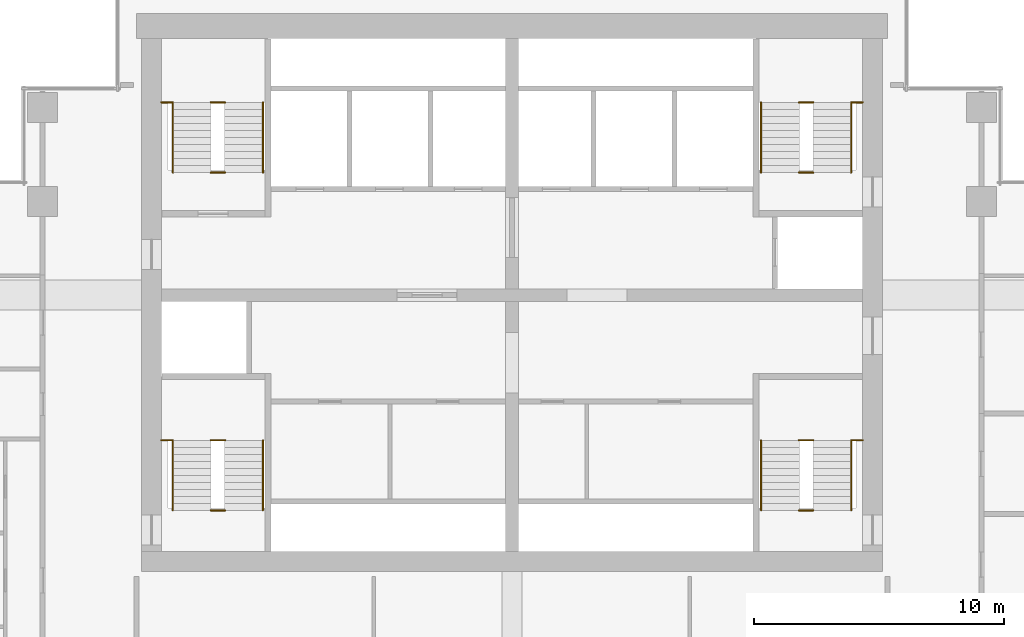
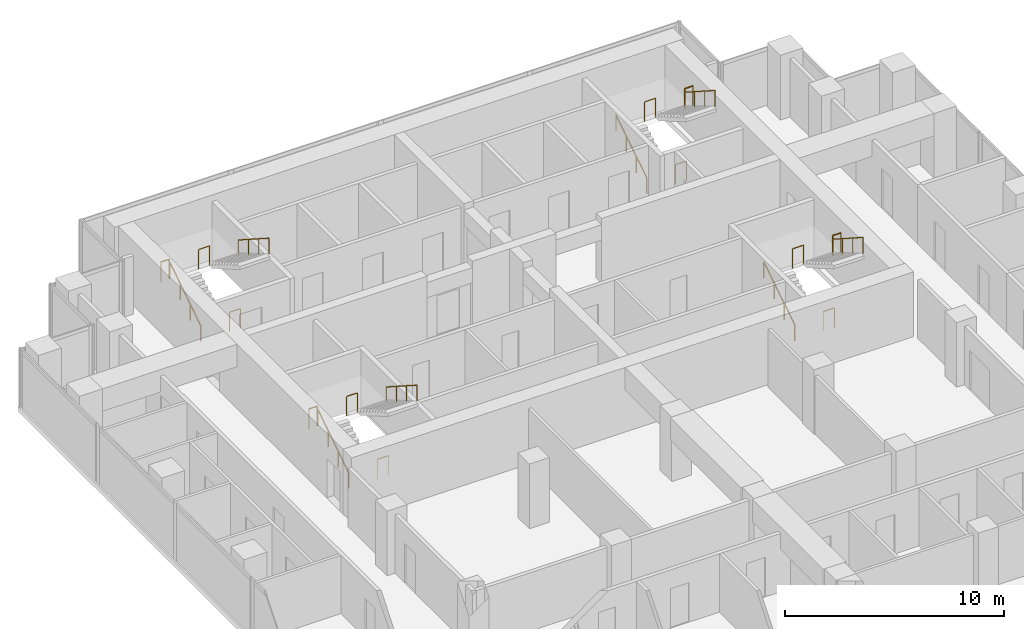
# One storey, part 10 of 10: 20 railings.
"""IFC4 building model written with IfcOpenShell, lengths in metres."""

from ifc_helpers import new_model, si_unit, direction, frame, origin, origin_2d, place, context, subcontext, project, spatial, circle, extrude, material, type_object, element, save


model = new_model("IFC4")

# Units and contexts
model_context = context("Model", 3, precision=1e-05, world=origin(), true_north=direction((0.0, 1.0)))
body_context = subcontext(model_context, "Body", "Model", "MODEL_VIEW")
ifc_project = project(units=[si_unit("LENGTHUNIT", "METRE"), si_unit("AREAUNIT", "SQUARE_METRE"), si_unit("VOLUMEUNIT", "CUBIC_METRE"), si_unit("PLANEANGLEUNIT", "RADIAN"), si_unit("MASSUNIT", "GRAM", prefix="KILO")], contexts=[model_context])

# Site, building, storey
site_placement = place(None, origin())
site = spatial("IfcSite", under=ifc_project, at=site_placement, CompositionType="ELEMENT")
building_placement = place(site_placement, origin())
building = spatial("IfcBuilding", under=site, at=building_placement, Name="Pilkhan Gate Tower", CompositionType="ELEMENT")
storey_placement = place(building_placement, frame((0.0, 0.0, 180.10009765625)))
storey = spatial("IfcBuildingStorey", under=building, at=storey_placement, Name="L46", CompositionType="ELEMENT", Elevation=180.10009765625)

# Railings
ifc_material_1 = material(Name="Black powder-coated steel tube", Category="steel")
railing_type_1 = type_object("IfcRailingType", Name="Stair handrail HR1", PredefinedType="HANDRAIL", material=ifc_material_1)
railing_1_placement = place(storey_placement, frame((84.949951171875, 73.89990234375, 0.0)))
element("IfcRailing", 1, at=railing_1_placement, inside=storey, type_object=railing_type_1, Name="Stair ST1 handrail L46", PredefinedType="HANDRAIL", context=body_context, shape_type="SweptSolid", body=[
    extrude(circle(Radius=0.02392578125, at=origin_2d()), frame((0.0, 0.0, 0.8759765625), z_axis=(0.0, 0.841209454229, 0.540709398952), x_axis=(-1.0, 0.0, 0.0)), (0.0, 0.0, 1.0), 3.32861328125),
    extrude(circle(Radius=0.02099609375, at=origin_2d()), origin(), (0.0, 0.0, 1.0), 0.851806640625),
    extrude(circle(Radius=0.02099609375, at=origin_2d()), frame((0.0, 0.933349609375, 0.599853515625)), (0.0, 0.0, 1.0), 0.851806640625),
    extrude(circle(Radius=0.02099609375, at=origin_2d()), frame((0.0, 1.86669921875, 1.199951171875)), (0.0, 0.0, 1.0), 0.851806640625),
    extrude(circle(Radius=0.02099609375, at=origin_2d()), frame((0.0, 2.800048828125, 1.7998046875)), (0.0, 0.0, 1.0), 0.851806640625),
])
railing_2_placement = place(storey_placement, frame((88.550048828125, 76.699951171875, 1.7998046875)))
element("IfcRailing", 2, at=railing_2_placement, inside=storey, type_object=railing_type_1, Name="Stair ST1 handrail L46", PredefinedType="HANDRAIL", context=body_context, shape_type="SweptSolid", body=[
    extrude(circle(Radius=0.02392578125, at=origin_2d()), frame((0.0, 0.0, 0.8759765625), z_axis=(0.0, -0.841176092368, 0.540761298198), x_axis=(1.0, 0.0, 0.0)), (0.0, 0.0, 1.0), 3.32861328125),
    extrude(circle(Radius=0.02099609375, at=origin_2d()), origin(), (0.0, 0.0, 1.0), 0.851806640625),
    extrude(circle(Radius=0.02099609375, at=origin_2d()), frame((0.0, -0.933349609375, 0.60009765625)), (0.0, 0.0, 1.0), 0.851806640625),
    extrude(circle(Radius=0.02099609375, at=origin_2d()), frame((0.0, -1.86669921875, 1.199951171875)), (0.0, 0.0, 1.0), 0.851806640625),
    extrude(circle(Radius=0.02099609375, at=origin_2d()), frame((0.0, -2.800048828125, 1.800048828125)), (0.0, 0.0, 1.0), 0.851806640625),
])
railing_3_placement = place(storey_placement, frame((61.449951171875, 73.89990234375, 0.0)))
element("IfcRailing", 3, at=railing_3_placement, inside=storey, type_object=railing_type_1, Name="Stair ST2 handrail L46", PredefinedType="HANDRAIL", context=body_context, shape_type="SweptSolid", body=[
    extrude(circle(Radius=0.02392578125, at=origin_2d()), frame((0.0, 0.0, 0.8759765625), z_axis=(0.0, 0.841209454229, 0.540709398952), x_axis=(-1.0, 0.0, 0.0)), (0.0, 0.0, 1.0), 3.32861328125),
    extrude(circle(Radius=0.02099609375, at=origin_2d()), origin(), (0.0, 0.0, 1.0), 0.851806640625),
    extrude(circle(Radius=0.02099609375, at=origin_2d()), frame((0.0, 0.933349609375, 0.599853515625)), (0.0, 0.0, 1.0), 0.851806640625),
    extrude(circle(Radius=0.02099609375, at=origin_2d()), frame((0.0, 1.86669921875, 1.199951171875)), (0.0, 0.0, 1.0), 0.851806640625),
    extrude(circle(Radius=0.02099609375, at=origin_2d()), frame((0.0, 2.800048828125, 1.7998046875)), (0.0, 0.0, 1.0), 0.851806640625),
])
railing_4_placement = place(storey_placement, frame((65.050048828125, 76.699951171875, 1.7998046875)))
element("IfcRailing", 4, at=railing_4_placement, inside=storey, type_object=railing_type_1, Name="Stair ST2 handrail L46", PredefinedType="HANDRAIL", context=body_context, shape_type="SweptSolid", body=[
    extrude(circle(Radius=0.02392578125, at=origin_2d()), frame((0.0, 0.0, 0.8759765625), z_axis=(0.0, -0.841176092368, 0.540761298198), x_axis=(1.0, 0.0, 0.0)), (0.0, 0.0, 1.0), 3.32861328125),
    extrude(circle(Radius=0.02099609375, at=origin_2d()), origin(), (0.0, 0.0, 1.0), 0.851806640625),
    extrude(circle(Radius=0.02099609375, at=origin_2d()), frame((0.0, -0.933349609375, 0.60009765625)), (0.0, 0.0, 1.0), 0.851806640625),
    extrude(circle(Radius=0.02099609375, at=origin_2d()), frame((0.0, -1.86669921875, 1.199951171875)), (0.0, 0.0, 1.0), 0.851806640625),
    extrude(circle(Radius=0.02099609375, at=origin_2d()), frame((0.0, -2.800048828125, 1.800048828125)), (0.0, 0.0, 1.0), 0.851806640625),
])
railing_5_placement = place(storey_placement, frame((61.449951171875, 87.39990234375, 0.0)))
element("IfcRailing", 5, at=railing_5_placement, inside=storey, type_object=railing_type_1, Name="Stair ST3 handrail L46", PredefinedType="HANDRAIL", context=body_context, shape_type="SweptSolid", body=[
    extrude(circle(Radius=0.02392578125, at=origin_2d()), frame((0.0, 0.0, 0.8759765625), z_axis=(0.0, 0.841209454229, 0.540709398952), x_axis=(-1.0, 0.0, 0.0)), (0.0, 0.0, 1.0), 3.32861328125),
    extrude(circle(Radius=0.02099609375, at=origin_2d()), origin(), (0.0, 0.0, 1.0), 0.851806640625),
    extrude(circle(Radius=0.02099609375, at=origin_2d()), frame((0.0, 0.933349609375, 0.599853515625)), (0.0, 0.0, 1.0), 0.851806640625),
    extrude(circle(Radius=0.02099609375, at=origin_2d()), frame((0.0, 1.86669921875, 1.199951171875)), (0.0, 0.0, 1.0), 0.851806640625),
    extrude(circle(Radius=0.02099609375, at=origin_2d()), frame((0.0, 2.800048828125, 1.7998046875)), (0.0, 0.0, 1.0), 0.851806640625),
])
railing_6_placement = place(storey_placement, frame((65.050048828125, 90.199951171875, 1.7998046875)))
element("IfcRailing", 6, at=railing_6_placement, inside=storey, type_object=railing_type_1, Name="Stair ST3 handrail L46", PredefinedType="HANDRAIL", context=body_context, shape_type="SweptSolid", body=[
    extrude(circle(Radius=0.02392578125, at=origin_2d()), frame((0.0, 0.0, 0.8759765625), z_axis=(0.0, -0.841176092368, 0.540761298198), x_axis=(1.0, 0.0, 0.0)), (0.0, 0.0, 1.0), 3.32861328125),
    extrude(circle(Radius=0.02099609375, at=origin_2d()), origin(), (0.0, 0.0, 1.0), 0.851806640625),
    extrude(circle(Radius=0.02099609375, at=origin_2d()), frame((0.0, -0.933349609375, 0.60009765625)), (0.0, 0.0, 1.0), 0.851806640625),
    extrude(circle(Radius=0.02099609375, at=origin_2d()), frame((0.0, -1.86669921875, 1.199951171875)), (0.0, 0.0, 1.0), 0.851806640625),
    extrude(circle(Radius=0.02099609375, at=origin_2d()), frame((0.0, -2.800048828125, 1.800048828125)), (0.0, 0.0, 1.0), 0.851806640625),
])
railing_7_placement = place(storey_placement, frame((84.949951171875, 87.39990234375, 0.0)))
element("IfcRailing", 7, at=railing_7_placement, inside=storey, type_object=railing_type_1, Name="Stair ST4 handrail L46", PredefinedType="HANDRAIL", context=body_context, shape_type="SweptSolid", body=[
    extrude(circle(Radius=0.02392578125, at=origin_2d()), frame((0.0, 0.0, 0.8759765625), z_axis=(0.0, 0.841209454229, 0.540709398952), x_axis=(-1.0, 0.0, 0.0)), (0.0, 0.0, 1.0), 3.32861328125),
    extrude(circle(Radius=0.02099609375, at=origin_2d()), origin(), (0.0, 0.0, 1.0), 0.851806640625),
    extrude(circle(Radius=0.02099609375, at=origin_2d()), frame((0.0, 0.933349609375, 0.599853515625)), (0.0, 0.0, 1.0), 0.851806640625),
    extrude(circle(Radius=0.02099609375, at=origin_2d()), frame((0.0, 1.86669921875, 1.199951171875)), (0.0, 0.0, 1.0), 0.851806640625),
    extrude(circle(Radius=0.02099609375, at=origin_2d()), frame((0.0, 2.800048828125, 1.7998046875)), (0.0, 0.0, 1.0), 0.851806640625),
])
railing_8_placement = place(storey_placement, frame((88.550048828125, 90.199951171875, 1.7998046875)))
element("IfcRailing", 8, at=railing_8_placement, inside=storey, type_object=railing_type_1, Name="Stair ST4 handrail L46", PredefinedType="HANDRAIL", context=body_context, shape_type="SweptSolid", body=[
    extrude(circle(Radius=0.02392578125, at=origin_2d()), frame((0.0, 0.0, 0.8759765625), z_axis=(0.0, -0.841176092368, 0.540761298198), x_axis=(1.0, 0.0, 0.0)), (0.0, 0.0, 1.0), 3.32861328125),
    extrude(circle(Radius=0.02099609375, at=origin_2d()), origin(), (0.0, 0.0, 1.0), 0.851806640625),
    extrude(circle(Radius=0.02099609375, at=origin_2d()), frame((0.0, -0.933349609375, 0.60009765625)), (0.0, 0.0, 1.0), 0.851806640625),
    extrude(circle(Radius=0.02099609375, at=origin_2d()), frame((0.0, -1.86669921875, 1.199951171875)), (0.0, 0.0, 1.0), 0.851806640625),
    extrude(circle(Radius=0.02099609375, at=origin_2d()), frame((0.0, -2.800048828125, 1.800048828125)), (0.0, 0.0, 1.0), 0.851806640625),
])
ifc_material_2 = material(Name="Black powder-coated steel balusters", Category="steel")
railing_type_2 = type_object("IfcRailingType", Name="Stair well guard G3", PredefinedType="GUARDRAIL", material=ifc_material_2)
railing_9_placement = place(storey_placement, frame((88.580078125, 76.699951171875, 1.7998046875)))
element("IfcRailing", 9, at=railing_9_placement, inside=storey, type_object=railing_type_2, Name="Stair ST1 well guard L46", PredefinedType="GUARDRAIL", context=body_context, shape_type="SweptSolid", body=[
    extrude(circle(Radius=0.02392578125, at=origin_2d()), frame((0.0, 0.0, 1.076171875), z_axis=(1.0, 0.0, 0.0), x_axis=(0.0, 1.0, 0.0)), (0.0, 0.0, 1.0), 0.43994140625),
    extrude(circle(Radius=0.02099609375, at=origin_2d()), origin(), (0.0, 0.0, 1.0), 1.052001953125),
    extrude(circle(Radius=0.02099609375, at=origin_2d()), frame((0.43994140625, 0.0, 0.0)), (0.0, 0.0, 1.0), 1.052001953125),
])
for number, where, name in (
    (10, (86.4599609375, 73.89990234375, 0.0), "Stair ST1 well guard L46"),
    (11, (86.4599609375, 76.699951171875, 1.7998046875), "Stair ST1 well guard L46"),
):
    element("IfcRailing", number, at=place(storey_placement, frame(where)), inside=storey, type_object=railing_type_2, Name=name, PredefinedType="GUARDRAIL", context=body_context, shape_type="SweptSolid", body=[
        extrude(circle(Radius=0.02392578125, at=origin_2d()), frame((0.0, 0.0, 1.076171875), z_axis=(1.0, 0.0, 0.0), x_axis=(0.0, 1.0, 0.0)), (0.0, 0.0, 1.0), 0.580078125),
        extrude(circle(Radius=0.02099609375, at=origin_2d()), origin(), (0.0, 0.0, 1.0), 1.052001953125),
        extrude(circle(Radius=0.02099609375, at=origin_2d()), frame((0.580078125, 0.0, 0.0)), (0.0, 0.0, 1.0), 1.052001953125),
    ])
railing_10_placement = place(storey_placement, frame((60.97998046875, 76.699951171875, 1.7998046875)))
element("IfcRailing", 12, at=railing_10_placement, inside=storey, type_object=railing_type_2, Name="Stair ST2 well guard L46", PredefinedType="GUARDRAIL", context=body_context, shape_type="SweptSolid", body=[
    extrude(circle(Radius=0.02392578125, at=origin_2d()), frame((0.0, 0.0, 1.076171875), z_axis=(1.0, 0.0, 0.0), x_axis=(0.0, 1.0, 0.0)), (0.0, 0.0, 1.0), 0.43994140625),
    extrude(circle(Radius=0.02099609375, at=origin_2d()), origin(), (0.0, 0.0, 1.0), 1.052001953125),
    extrude(circle(Radius=0.02099609375, at=origin_2d()), frame((0.43994140625, 0.0, 0.0)), (0.0, 0.0, 1.0), 1.052001953125),
])
for number, where, name in (
    (13, (62.9599609375, 73.89990234375, 0.0), "Stair ST2 well guard L46"),
    (14, (62.9599609375, 76.699951171875, 1.7998046875), "Stair ST2 well guard L46"),
):
    element("IfcRailing", number, at=place(storey_placement, frame(where)), inside=storey, type_object=railing_type_2, Name=name, PredefinedType="GUARDRAIL", context=body_context, shape_type="SweptSolid", body=[
        extrude(circle(Radius=0.02392578125, at=origin_2d()), frame((0.0, 0.0, 1.076171875), z_axis=(1.0, 0.0, 0.0), x_axis=(0.0, 1.0, 0.0)), (0.0, 0.0, 1.0), 0.580078125),
        extrude(circle(Radius=0.02099609375, at=origin_2d()), origin(), (0.0, 0.0, 1.0), 1.052001953125),
        extrude(circle(Radius=0.02099609375, at=origin_2d()), frame((0.580078125, 0.0, 0.0)), (0.0, 0.0, 1.0), 1.052001953125),
    ])
railing_11_placement = place(storey_placement, frame((60.97998046875, 90.199951171875, 1.7998046875)))
element("IfcRailing", 15, at=railing_11_placement, inside=storey, type_object=railing_type_2, Name="Stair ST3 well guard L46", PredefinedType="GUARDRAIL", context=body_context, shape_type="SweptSolid", body=[
    extrude(circle(Radius=0.02392578125, at=origin_2d()), frame((0.0, 0.0, 1.076171875), z_axis=(1.0, 0.0, 0.0), x_axis=(0.0, 1.0, 0.0)), (0.0, 0.0, 1.0), 0.43994140625),
    extrude(circle(Radius=0.02099609375, at=origin_2d()), origin(), (0.0, 0.0, 1.0), 1.052001953125),
    extrude(circle(Radius=0.02099609375, at=origin_2d()), frame((0.43994140625, 0.0, 0.0)), (0.0, 0.0, 1.0), 1.052001953125),
])
for number, where, name in (
    (16, (62.9599609375, 87.39990234375, 0.0), "Stair ST3 well guard L46"),
    (17, (62.9599609375, 90.199951171875, 1.7998046875), "Stair ST3 well guard L46"),
):
    element("IfcRailing", number, at=place(storey_placement, frame(where)), inside=storey, type_object=railing_type_2, Name=name, PredefinedType="GUARDRAIL", context=body_context, shape_type="SweptSolid", body=[
        extrude(circle(Radius=0.02392578125, at=origin_2d()), frame((0.0, 0.0, 1.076171875), z_axis=(1.0, 0.0, 0.0), x_axis=(0.0, 1.0, 0.0)), (0.0, 0.0, 1.0), 0.580078125),
        extrude(circle(Radius=0.02099609375, at=origin_2d()), origin(), (0.0, 0.0, 1.0), 1.052001953125),
        extrude(circle(Radius=0.02099609375, at=origin_2d()), frame((0.580078125, 0.0, 0.0)), (0.0, 0.0, 1.0), 1.052001953125),
    ])
railing_12_placement = place(storey_placement, frame((88.580078125, 90.199951171875, 1.7998046875)))
element("IfcRailing", 18, at=railing_12_placement, inside=storey, type_object=railing_type_2, Name="Stair ST4 well guard L46", PredefinedType="GUARDRAIL", context=body_context, shape_type="SweptSolid", body=[
    extrude(circle(Radius=0.02392578125, at=origin_2d()), frame((0.0, 0.0, 1.076171875), z_axis=(1.0, 0.0, 0.0), x_axis=(0.0, 1.0, 0.0)), (0.0, 0.0, 1.0), 0.43994140625),
    extrude(circle(Radius=0.02099609375, at=origin_2d()), origin(), (0.0, 0.0, 1.0), 1.052001953125),
    extrude(circle(Radius=0.02099609375, at=origin_2d()), frame((0.43994140625, 0.0, 0.0)), (0.0, 0.0, 1.0), 1.052001953125),
])
for number, where, name in (
    (19, (86.4599609375, 87.39990234375, 0.0), "Stair ST4 well guard L46"),
    (20, (86.4599609375, 90.199951171875, 1.7998046875), "Stair ST4 well guard L46"),
):
    element("IfcRailing", number, at=place(storey_placement, frame(where)), inside=storey, type_object=railing_type_2, Name=name, PredefinedType="GUARDRAIL", context=body_context, shape_type="SweptSolid", body=[
        extrude(circle(Radius=0.02392578125, at=origin_2d()), frame((0.0, 0.0, 1.076171875), z_axis=(1.0, 0.0, 0.0), x_axis=(0.0, 1.0, 0.0)), (0.0, 0.0, 1.0), 0.580078125),
        extrude(circle(Radius=0.02099609375, at=origin_2d()), origin(), (0.0, 0.0, 1.0), 1.052001953125),
        extrude(circle(Radius=0.02099609375, at=origin_2d()), frame((0.580078125, 0.0, 0.0)), (0.0, 0.0, 1.0), 1.052001953125),
    ])

save(model, "model.ifc")
